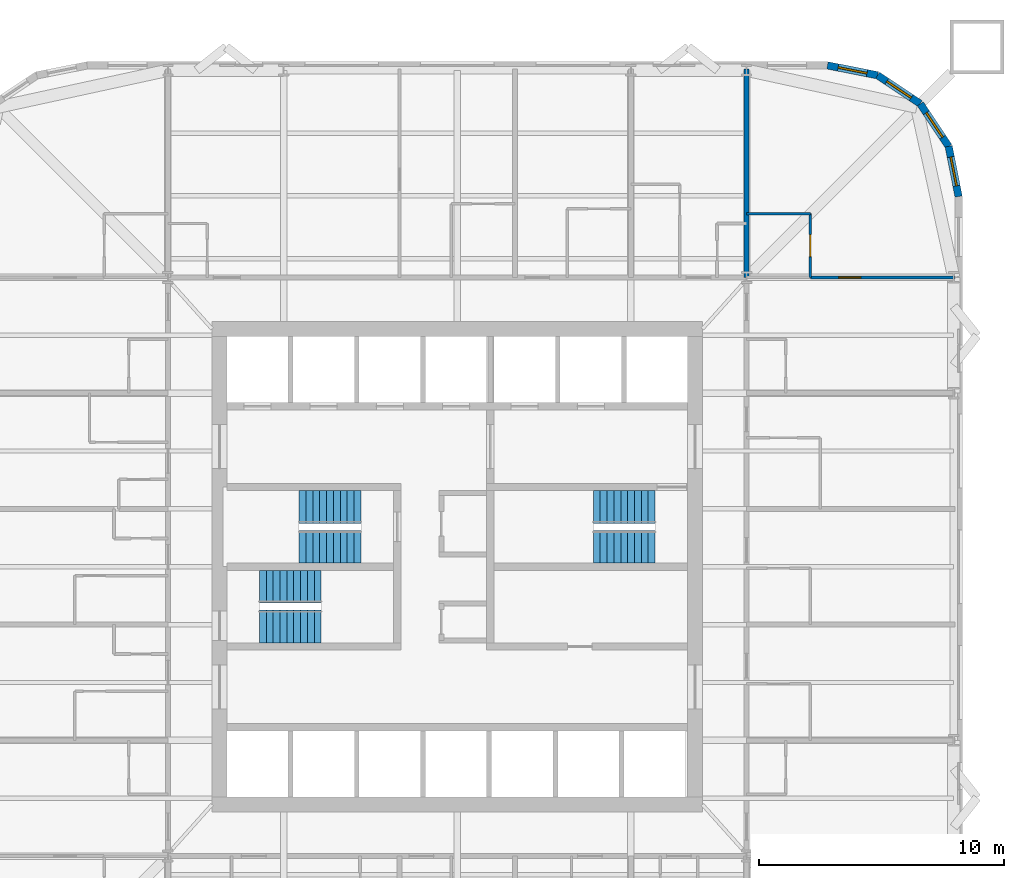
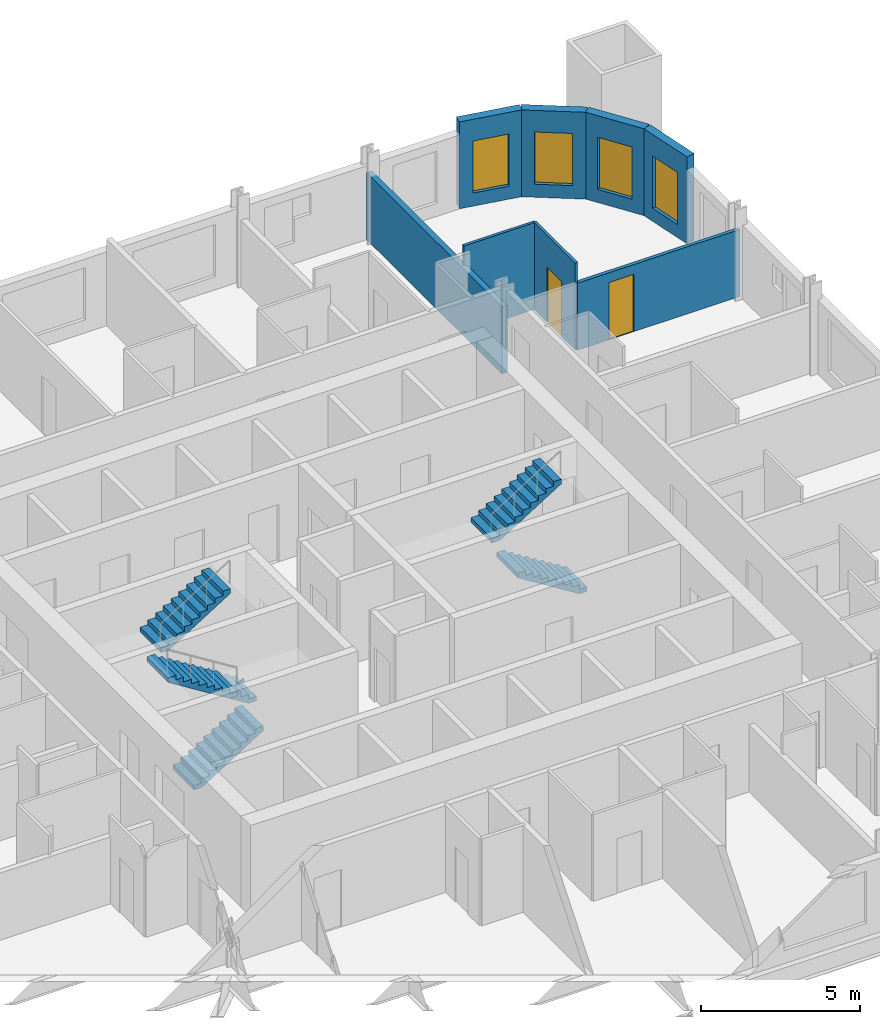
# One storey, part 9 of 10: 8 walls, 6 stair flights, 4 windows, 2 doors, 6 openings, 3 elements without a shape of their own.
"""IFC4 building model written with IfcOpenShell, lengths in metres."""

from ifc_helpers import new_model, si_unit, direction, frame, frame_2d, origin, place, context, subcontext, project, spatial, polyline, rectangle, outline, extrude, material, layer, layer_set, type_object, element, fill, aggregate, save


model = new_model("IFC4")

# Units and contexts
model_context = context("Model", 3, precision=1e-05, world=origin(), true_north=direction((0.0, 1.0)))
body_context = subcontext(model_context, "Body", "Model", "MODEL_VIEW")
ifc_project = project(units=[si_unit("LENGTHUNIT", "METRE"), si_unit("AREAUNIT", "SQUARE_METRE"), si_unit("VOLUMEUNIT", "CUBIC_METRE"), si_unit("PLANEANGLEUNIT", "RADIAN"), si_unit("MASSUNIT", "GRAM", prefix="KILO")], contexts=[model_context])

# Site, building, storey
site_placement = place(None, origin())
site = spatial("IfcSite", under=ifc_project, at=site_placement, CompositionType="ELEMENT")
building_placement = place(site_placement, origin())
building = spatial("IfcBuilding", under=site, at=building_placement, Name="Turquesa Mirador Hotel Tower", CompositionType="ELEMENT")
storey_placement = place(building_placement, frame((0.0, 0.0, 138.89990234375)))
storey = spatial("IfcBuildingStorey", under=building, at=storey_placement, Name="L37", CompositionType="ELEMENT", Elevation=138.89990234375)

# Wall
ifc_material_1 = material(Name="Gypsum board on steel studs", Category="steel")
ifc_layer_1 = layer(ifc_material_1, 0.10009765625)
ifc_layer_set_1 = layer_set([ifc_layer_1], Name="BATHROOM WALL 100")
wall_type_1 = type_object("IfcWallType", Name="BATHROOM WALL 100", PredefinedType="PARTITIONING", material=ifc_layer_set_1)
wall_1_placement = place(storey_placement, frame((66.800048828125, 59.39990234375, 0.0), z_axis=(0.0, 0.0, 1.0), x_axis=(1.0, 0.0, 0.0)))
element("IfcWall", 1, at=wall_1_placement, inside=storey, type_object=wall_type_1, Name="Partition L37 034", PredefinedType="PARTITIONING", context=body_context, shape_type="SweptSolid", body=[
    extrude(rectangle(XDim=2.599853515625, YDim=0.10009765625, at=frame_2d((1.2998046875, 0.0))), origin(), (0.0, 0.0, 1.0), 3.330078125),
])

# Wall, opening, door
wall_2_placement = place(storey_placement, frame((69.39990234375, 56.800048828125, 0.0), z_axis=(0.0, 0.0, 1.0), x_axis=(0.0, 1.0, 0.0)))
wall_2 = element("IfcWall", 2, at=wall_2_placement, inside=storey, type_object=wall_type_1, Name="Partition L37 077", PredefinedType="PARTITIONING", context=body_context, shape_type="SweptSolid", body=[
    extrude(rectangle(XDim=2.599853515625, YDim=0.10009765625, at=frame_2d((1.2998046875, 0.0))), origin(), (0.0, 0.0, 1.0), 3.330078125),
])
opening_1_placement = place(wall_2_placement, frame((0.85009765625, 0.0, 0.0)))
opening_1 = element("IfcOpeningElement", 3, at=opening_1_placement, cuts=wall_2, Name="Opening D02", PredefinedType="OPENING", context=body_context, shape_type="SweptSolid", body=[
    extrude(rectangle(XDim=0.89990234375, YDim=2.10009765625, at=frame_2d((0.449951171875, 1.050048828125))), frame((0.0, 0.06005859375, 0.0), z_axis=(0.0, -1.0, 0.0), x_axis=(1.0, 0.0, 0.0)), (0.0, 0.0, 1.0), 0.1201171875),
])
ifc_material_2 = material(Name="Timber veneered door", Category="wood")
door_type_1 = type_object("IfcDoorType", Name="DOOR 900X2100 EN-SUITE", OperationType="SINGLE_SWING_RIGHT", PredefinedType="DOOR", material=ifc_material_2)
door_1_placement = place(opening_1_placement, origin())
door_1 = element("IfcDoor", 4, at=door_1_placement, inside=storey, type_object=door_type_1, Name="Door 3714B", OperationType="SINGLE_SWING_RIGHT", OverallHeight=2.10009765625, OverallWidth=0.89990234375, PredefinedType="DOOR", context=body_context, shape_type="SweptSolid", body=[
    extrude(rectangle(XDim=0.89990234375, YDim=2.10009765625, at=frame_2d((0.449951171875, 1.050048828125))), frame((0.0, 0.02490234375, 0.0), z_axis=(0.0, -1.0, 0.0), x_axis=(1.0, 0.0, 0.0)), (0.0, 0.0, 1.0), 0.050048828125),
])
fill(opening_1, door_1)

# Wall, opening, window
ifc_material_3 = material(Name="Limestone cladding on concrete block", Category="masonry")
ifc_layer_2 = layer(ifc_material_3, 0.300048828125)
ifc_layer_set_2 = layer_set([ifc_layer_2], Name="FACADE WALL 300 STONE SCREEN")
wall_type_2 = type_object("IfcWallType", Name="FACADE WALL 300 STONE SCREEN", PredefinedType="SOLIDWALL", material=ifc_layer_set_2)
wall_3_placement = place(storey_placement, frame((75.449951171875, 60.10009765625, 0.0), z_axis=(0.0, 0.0, 1.0), x_axis=(-0.195081421501, 0.980787050784, 0.0)))
wall_3 = element("IfcWall", 5, at=wall_3_placement, inside=storey, type_object=wall_type_2, Name="Facade wall L37 05", PredefinedType="SOLIDWALL", context=body_context, shape_type="SweptSolid", body=[
    extrude(rectangle(XDim=2.08740234375, YDim=0.300048828125, at=frame_2d((1.043701171875, 0.0))), origin(), (0.0, 0.0, 1.0), 3.330078125),
])
opening_2_placement = place(wall_3_placement, frame((0.443603515625, 0.0, 0.5)))
opening_2 = element("IfcOpeningElement", 6, at=opening_2_placement, cuts=wall_3, Name="Opening WN4", PredefinedType="OPENING", context=body_context, shape_type="SweptSolid", body=[
    extrude(rectangle(XDim=1.199951171875, YDim=2.0, at=frame_2d((0.60009765625, 1.0))), frame((0.0, 0.159912109375, 0.0), z_axis=(0.0, -1.0, 0.0), x_axis=(1.0, 0.0, 0.0)), (0.0, 0.0, 1.0), 0.320068359375),
])
ifc_material_4 = material(Name="Ceramic-fritted laminated glass", Category="glass")
window_type = type_object("IfcWindowType", Name="FRITTED CORNER WINDOW 1200X2000", PartitioningType="DOUBLE_PANEL_HORIZONTAL", PredefinedType="WINDOW", material=ifc_material_4)
window_1_placement = place(opening_2_placement, origin())
window_1 = element("IfcWindow", 7, at=window_1_placement, inside=storey, type_object=window_type, Name="Window L37", OverallHeight=2.0, OverallWidth=1.199951171875, PartitioningType="SINGLE_PANEL", PredefinedType="WINDOW", context=body_context, shape_type="SweptSolid", body=[
    extrude(rectangle(XDim=1.199951171875, YDim=2.0, at=frame_2d((0.60009765625, 1.0))), frame((0.0, 0.030029296875, 0.0), z_axis=(0.0, -1.0, 0.0), x_axis=(1.0, 0.0, 0.0)), (0.0, 0.0, 1.0), 0.06005859375),
])
fill(opening_2, window_1)

wall_4_placement = place(storey_placement, frame((75.042724609375, 62.1474609375, 0.0), z_axis=(0.0, 0.0, 1.0), x_axis=(-0.555563607591, 0.831474039234, 0.0)))
wall_4 = element("IfcWall", 8, at=wall_4_placement, inside=storey, type_object=wall_type_2, Name="Facade wall L37 06", PredefinedType="SOLIDWALL", context=body_context, shape_type="SweptSolid", body=[
    extrude(rectangle(XDim=2.08740234375, YDim=0.300048828125, at=frame_2d((1.043701171875, 0.0))), origin(), (0.0, 0.0, 1.0), 3.330078125),
])
opening_3_placement = place(wall_4_placement, frame((0.443603515625, 0.0, 0.5)))
opening_3 = element("IfcOpeningElement", 9, at=opening_3_placement, cuts=wall_4, Name="Opening WN4", PredefinedType="OPENING", context=body_context, shape_type="SweptSolid", body=[
    extrude(rectangle(XDim=1.199951171875, YDim=2.0, at=frame_2d((0.60009765625, 1.0))), frame((0.0, 0.159912109375, 0.0), z_axis=(0.0, -1.0, 0.0), x_axis=(1.0, 0.0, 0.0)), (0.0, 0.0, 1.0), 0.320068359375),
])
window_2_placement = place(opening_3_placement, origin())
window_2 = element("IfcWindow", 10, at=window_2_placement, inside=storey, type_object=window_type, Name="Window L37", OverallHeight=2.0, OverallWidth=1.199951171875, PartitioningType="SINGLE_PANEL", PredefinedType="WINDOW", context=body_context, shape_type="SweptSolid", body=[
    extrude(rectangle(XDim=1.199951171875, YDim=2.0, at=frame_2d((0.60009765625, 1.0))), frame((0.0, 0.030029296875, 0.0), z_axis=(0.0, -1.0, 0.0), x_axis=(1.0, 0.0, 0.0)), (0.0, 0.0, 1.0), 0.06005859375),
])
fill(opening_3, window_2)

wall_5_placement = place(storey_placement, frame((73.883056640625, 63.883056640625, 0.0), z_axis=(0.0, 0.0, 1.0), x_axis=(-0.831474039234, 0.555563607591, 0.0)))
wall_5 = element("IfcWall", 11, at=wall_5_placement, inside=storey, type_object=wall_type_2, Name="Facade wall L37 07", PredefinedType="SOLIDWALL", context=body_context, shape_type="SweptSolid", body=[
    extrude(rectangle(XDim=2.08740234375, YDim=0.300048828125, at=frame_2d((1.043701171875, 0.0))), origin(), (0.0, 0.0, 1.0), 3.330078125),
])
opening_4_placement = place(wall_5_placement, frame((0.443603515625, 0.0, 0.5)))
opening_4 = element("IfcOpeningElement", 12, at=opening_4_placement, cuts=wall_5, Name="Opening WN4", PredefinedType="OPENING", context=body_context, shape_type="SweptSolid", body=[
    extrude(rectangle(XDim=1.199951171875, YDim=2.0, at=frame_2d((0.60009765625, 1.0))), frame((0.0, 0.159912109375, 0.0), z_axis=(0.0, -1.0, 0.0), x_axis=(1.0, 0.0, 0.0)), (0.0, 0.0, 1.0), 0.320068359375),
])
window_3_placement = place(opening_4_placement, origin())
window_3 = element("IfcWindow", 13, at=window_3_placement, inside=storey, type_object=window_type, Name="Window L37", OverallHeight=2.0, OverallWidth=1.199951171875, PartitioningType="SINGLE_PANEL", PredefinedType="WINDOW", context=body_context, shape_type="SweptSolid", body=[
    extrude(rectangle(XDim=1.199951171875, YDim=2.0, at=frame_2d((0.60009765625, 1.0))), frame((0.0, 0.030029296875, 0.0), z_axis=(0.0, -1.0, 0.0), x_axis=(1.0, 0.0, 0.0)), (0.0, 0.0, 1.0), 0.06005859375),
])
fill(opening_4, window_3)

wall_6_placement = place(storey_placement, frame((72.1474609375, 65.042724609375, 0.0), z_axis=(0.0, 0.0, 1.0), x_axis=(-0.980787050784, 0.195081421501, 0.0)))
wall_6 = element("IfcWall", 14, at=wall_6_placement, inside=storey, type_object=wall_type_2, Name="Facade wall L37 08", PredefinedType="SOLIDWALL", context=body_context, shape_type="SweptSolid", body=[
    extrude(rectangle(XDim=2.08740234375, YDim=0.300048828125, at=frame_2d((1.043701171875, 0.0))), origin(), (0.0, 0.0, 1.0), 3.330078125),
])
opening_5_placement = place(wall_6_placement, frame((0.443603515625, 0.0, 0.5)))
opening_5 = element("IfcOpeningElement", 15, at=opening_5_placement, cuts=wall_6, Name="Opening WN4", PredefinedType="OPENING", context=body_context, shape_type="SweptSolid", body=[
    extrude(rectangle(XDim=1.199951171875, YDim=2.0, at=frame_2d((0.60009765625, 1.0))), frame((0.0, 0.159912109375, 0.0), z_axis=(0.0, -1.0, 0.0), x_axis=(1.0, 0.0, 0.0)), (0.0, 0.0, 1.0), 0.320068359375),
])
window_4_placement = place(opening_5_placement, origin())
window_4 = element("IfcWindow", 16, at=window_4_placement, inside=storey, type_object=window_type, Name="Window L37", OverallHeight=2.0, OverallWidth=1.199951171875, PartitioningType="SINGLE_PANEL", PredefinedType="WINDOW", context=body_context, shape_type="SweptSolid", body=[
    extrude(rectangle(XDim=1.199951171875, YDim=2.0, at=frame_2d((0.60009765625, 1.0))), frame((0.0, 0.030029296875, 0.0), z_axis=(0.0, -1.0, 0.0), x_axis=(1.0, 0.0, 0.0)), (0.0, 0.0, 1.0), 0.06005859375),
])
fill(opening_5, window_4)

# Wall
ifc_material_5 = material(Name="Fire-rated gypsum board on steel studs", Category="steel")
ifc_layer_3 = layer(ifc_material_5, 0.199951171875)
ifc_layer_set_3 = layer_set([ifc_layer_3], Name="PARTY WALL 200")
wall_type_3 = type_object("IfcWallType", Name="PARTY WALL 200", PredefinedType="PARTITIONING", material=ifc_layer_set_3)
wall_7_placement = place(storey_placement, frame((66.800048828125, 56.800048828125, 0.0), z_axis=(0.0, 0.0, 1.0), x_axis=(0.0, 1.0, 0.0)))
element("IfcWall", 17, at=wall_7_placement, inside=storey, type_object=wall_type_3, Name="Partition L37 071", PredefinedType="PARTITIONING", context=body_context, shape_type="SweptSolid", body=[
    extrude(rectangle(XDim=8.5, YDim=0.199951171875, at=frame_2d((4.25, 0.0))), origin(), (0.0, 0.0, 1.0), 2.5732421875),
])

# Wall, opening, door
ifc_material_6 = material(Name="Acoustic gypsum board on steel studs", Category="steel")
ifc_layer_4 = layer(ifc_material_6, 0.125)
ifc_layer_set_4 = layer_set([ifc_layer_4], Name="SUITE PARTITION 125")
wall_type_4 = type_object("IfcWallType", Name="SUITE PARTITION 125", PredefinedType="PARTITIONING", material=ifc_layer_set_4)
wall_8_placement = place(storey_placement, frame((69.39990234375, 56.800048828125, 0.0), z_axis=(0.0, 0.0, 1.0), x_axis=(1.0, 0.0, 0.0)))
wall_8 = element("IfcWall", 18, at=wall_8_placement, inside=storey, type_object=wall_type_4, Name="Partition L37 030", PredefinedType="PARTITIONING", context=body_context, shape_type="SweptSolid", body=[
    extrude(rectangle(XDim=5.900146484375, YDim=0.125, at=frame_2d((2.9501953125, 0.0))), origin(), (0.0, 0.0, 1.0), 2.5732421875),
])
opening_6_placement = place(wall_8_placement, frame((1.14990234375, 0.0, 0.0)))
opening_6 = element("IfcOpeningElement", 19, at=opening_6_placement, cuts=wall_8, Name="Opening D17", PredefinedType="OPENING", context=body_context, shape_type="SweptSolid", body=[
    extrude(rectangle(XDim=0.89990234375, YDim=2.199951171875, at=frame_2d((0.449951171875, 1.10009765625))), frame((0.0, 0.072509765625, 0.0), z_axis=(0.0, -1.0, 0.0), x_axis=(1.0, 0.0, 0.0)), (0.0, 0.0, 1.0), 0.14501953125),
])
ifc_material_7 = material(Name="Timber veneered door", Category="wood")
door_type_2 = type_object("IfcDoorType", Name="DOOR 900X2200 SUITE INTERNAL", OperationType="SINGLE_SWING_LEFT", PredefinedType="DOOR", material=ifc_material_7)
door_2_placement = place(opening_6_placement, origin())
door_2 = element("IfcDoor", 20, at=door_2_placement, inside=storey, type_object=door_type_2, Name="Door 3714R", OperationType="SINGLE_SWING_LEFT", OverallHeight=2.199951171875, OverallWidth=0.89990234375, PredefinedType="DOOR", context=body_context, shape_type="SweptSolid", body=[
    extrude(rectangle(XDim=0.89990234375, YDim=2.199951171875, at=frame_2d((0.449951171875, 1.10009765625))), frame((0.0, 0.02490234375, 0.0), z_axis=(0.0, -1.0, 0.0), x_axis=(1.0, 0.0, 0.0)), (0.0, 0.0, 1.0), 0.050048828125),
])
fill(opening_6, door_2)

# Stair, stair flights
ifc_material_8 = material(Name="Concrete C35/45", Category="concrete")
stair_type = type_object("IfcStairType", Name="ESCAPE STAIR CORE", PredefinedType="HALF_TURN_STAIR", material=ifc_material_8)
stair_1_placement = place(storey_placement, origin())
stair_1 = element("IfcStair", 21, at=stair_1_placement, inside=storey, type_object=stair_type, Name="Stair ST1 L37 to L38", PredefinedType="HALF_TURN_STAIR")
ifc_material_9 = material(Name="Concrete C35/45 precast flight", Category="concrete")
stair_flight_type = type_object("IfcStairFlightType", Name="STAIR FLIGHT 1330", PredefinedType="STRAIGHT", material=ifc_material_9)
stair_flight_1_placement = place(storey_placement, frame((51.070068359375, 45.81494140625, 0.0), z_axis=(0.0, 0.0, 1.0), x_axis=(-1.0, 0.0, 0.0)))
stair_flight_1 = element("IfcStairFlight", 22, at=stair_flight_1_placement, type_object=stair_flight_type, Name="ST1 flight 1", NumberOfRisers=10, NumberOfTreads=9, PredefinedType="STRAIGHT", RiserHeight=0.175, TreadLength=0.28, context=body_context, shape_type="SweptSolid", body=[
    extrude(outline(polyline([(0.0, 0.0), (0.0, 0.175048828125), (0.280029296875, 0.175048828125), (0.280029296875, 0.35009765625), (0.56005859375, 0.35009765625), (0.56005859375, 0.52490234375), (0.840087890625, 0.52490234375), (0.840087890625, 0.699951171875), (1.1201171875, 0.699951171875), (1.1201171875, 0.875), (1.39990234375, 0.875), (1.39990234375, 1.050048828125), (1.679931640625, 1.050048828125), (1.679931640625, 1.22509765625), (1.9599609375, 1.22509765625), (1.9599609375, 1.39990234375), (2.239990234375, 1.39990234375), (2.239990234375, 1.574951171875), (2.52001953125, 1.574951171875), (2.52001953125, 1.75), (2.52001953125, 1.398193359375), (0.28271484375, 0.0), (0.0, 0.0)])), frame((0.0, 0.6650390625, 0.0), z_axis=(0.0, -1.0, 0.0), x_axis=(1.0, 0.0, 0.0)), (0.0, 0.0, 1.0), 1.330078125),
])
stair_flight_2_placement = place(storey_placement, frame((48.550048828125, 47.43505859375, 1.75), z_axis=(0.0, 0.0, 1.0), x_axis=(1.0, 0.0, 0.0)))
stair_flight_2 = element("IfcStairFlight", 23, at=stair_flight_2_placement, type_object=stair_flight_type, Name="ST1 flight 2", NumberOfRisers=10, NumberOfTreads=9, PredefinedType="STRAIGHT", RiserHeight=0.175, TreadLength=0.28, context=body_context, shape_type="SweptSolid", body=[
    extrude(outline(polyline([(0.0, 0.0), (0.0, 0.175048828125), (0.280029296875, 0.175048828125), (0.280029296875, 0.35009765625), (0.56005859375, 0.35009765625), (0.56005859375, 0.52490234375), (0.840087890625, 0.52490234375), (0.840087890625, 0.699951171875), (1.1201171875, 0.699951171875), (1.1201171875, 0.875), (1.39990234375, 0.875), (1.39990234375, 1.050048828125), (1.679931640625, 1.050048828125), (1.679931640625, 1.22509765625), (1.9599609375, 1.22509765625), (1.9599609375, 1.39990234375), (2.239990234375, 1.39990234375), (2.239990234375, 1.574951171875), (2.52001953125, 1.574951171875), (2.52001953125, 1.75), (2.52001953125, 1.398193359375), (0.28271484375, 0.0), (0.0, 0.0)])), frame((0.0, 0.6650390625, 0.0), z_axis=(0.0, -1.0, 0.0), x_axis=(1.0, 0.0, 0.0)), (0.0, 0.0, 1.0), 1.330078125),
])
aggregate(stair_1, [stair_flight_1, stair_flight_2])

stair_2_placement = place(storey_placement, origin())
stair_2 = element("IfcStair", 24, at=stair_2_placement, inside=storey, type_object=stair_type, Name="Stair ST2 L37 to L38", PredefinedType="HALF_TURN_STAIR")
stair_flight_3_placement = place(storey_placement, frame((46.929931640625, 42.56494140625, 0.0), z_axis=(0.0, 0.0, 1.0), x_axis=(1.0, 0.0, 0.0)))
stair_flight_3 = element("IfcStairFlight", 25, at=stair_flight_3_placement, type_object=stair_flight_type, Name="ST2 flight 1", NumberOfRisers=10, NumberOfTreads=9, PredefinedType="STRAIGHT", RiserHeight=0.175, TreadLength=0.28, context=body_context, shape_type="SweptSolid", body=[
    extrude(outline(polyline([(0.0, 0.0), (0.0, 0.175048828125), (0.280029296875, 0.175048828125), (0.280029296875, 0.35009765625), (0.56005859375, 0.35009765625), (0.56005859375, 0.52490234375), (0.840087890625, 0.52490234375), (0.840087890625, 0.699951171875), (1.1201171875, 0.699951171875), (1.1201171875, 0.875), (1.39990234375, 0.875), (1.39990234375, 1.050048828125), (1.679931640625, 1.050048828125), (1.679931640625, 1.22509765625), (1.9599609375, 1.22509765625), (1.9599609375, 1.39990234375), (2.239990234375, 1.39990234375), (2.239990234375, 1.574951171875), (2.52001953125, 1.574951171875), (2.52001953125, 1.75), (2.52001953125, 1.398193359375), (0.28271484375, 0.0), (0.0, 0.0)])), frame((0.0, 0.6650390625, 0.0), z_axis=(0.0, -1.0, 0.0), x_axis=(1.0, 0.0, 0.0)), (0.0, 0.0, 1.0), 1.330078125),
])
stair_flight_4_placement = place(storey_placement, frame((49.449951171875, 44.18505859375, 1.75), z_axis=(0.0, 0.0, 1.0), x_axis=(-1.0, 0.0, 0.0)))
stair_flight_4 = element("IfcStairFlight", 26, at=stair_flight_4_placement, type_object=stair_flight_type, Name="ST2 flight 2", NumberOfRisers=10, NumberOfTreads=9, PredefinedType="STRAIGHT", RiserHeight=0.175, TreadLength=0.28, context=body_context, shape_type="SweptSolid", body=[
    extrude(outline(polyline([(0.0, 0.0), (0.0, 0.175048828125), (0.280029296875, 0.175048828125), (0.280029296875, 0.35009765625), (0.56005859375, 0.35009765625), (0.56005859375, 0.52490234375), (0.840087890625, 0.52490234375), (0.840087890625, 0.699951171875), (1.1201171875, 0.699951171875), (1.1201171875, 0.875), (1.39990234375, 0.875), (1.39990234375, 1.050048828125), (1.679931640625, 1.050048828125), (1.679931640625, 1.22509765625), (1.9599609375, 1.22509765625), (1.9599609375, 1.39990234375), (2.239990234375, 1.39990234375), (2.239990234375, 1.574951171875), (2.52001953125, 1.574951171875), (2.52001953125, 1.75), (2.52001953125, 1.398193359375), (0.28271484375, 0.0), (0.0, 0.0)])), frame((0.0, 0.6650390625, 0.0), z_axis=(0.0, -1.0, 0.0), x_axis=(1.0, 0.0, 0.0)), (0.0, 0.0, 1.0), 1.330078125),
])
aggregate(stair_2, [stair_flight_3, stair_flight_4])

stair_3_placement = place(storey_placement, origin())
stair_3 = element("IfcStair", 27, at=stair_3_placement, inside=storey, type_object=stair_type, Name="Stair ST3 L37 to L38", PredefinedType="HALF_TURN_STAIR")
stair_flight_5_placement = place(storey_placement, frame((63.070068359375, 45.81494140625, 0.0), z_axis=(0.0, 0.0, 1.0), x_axis=(-1.0, 0.0, 0.0)))
stair_flight_5 = element("IfcStairFlight", 28, at=stair_flight_5_placement, type_object=stair_flight_type, Name="ST3 flight 1", NumberOfRisers=10, NumberOfTreads=9, PredefinedType="STRAIGHT", RiserHeight=0.175, TreadLength=0.28, context=body_context, shape_type="SweptSolid", body=[
    extrude(outline(polyline([(0.0, 0.0), (0.0, 0.175048828125), (0.280029296875, 0.175048828125), (0.280029296875, 0.35009765625), (0.56005859375, 0.35009765625), (0.56005859375, 0.52490234375), (0.840087890625, 0.52490234375), (0.840087890625, 0.699951171875), (1.1201171875, 0.699951171875), (1.1201171875, 0.875), (1.39990234375, 0.875), (1.39990234375, 1.050048828125), (1.679931640625, 1.050048828125), (1.679931640625, 1.22509765625), (1.9599609375, 1.22509765625), (1.9599609375, 1.39990234375), (2.239990234375, 1.39990234375), (2.239990234375, 1.574951171875), (2.52001953125, 1.574951171875), (2.52001953125, 1.75), (2.52001953125, 1.398193359375), (0.28271484375, 0.0), (0.0, 0.0)])), frame((0.0, 0.6650390625, 0.0), z_axis=(0.0, -1.0, 0.0), x_axis=(1.0, 0.0, 0.0)), (0.0, 0.0, 1.0), 1.330078125),
])
stair_flight_6_placement = place(storey_placement, frame((60.550048828125, 47.43505859375, 1.75), z_axis=(0.0, 0.0, 1.0), x_axis=(1.0, 0.0, 0.0)))
stair_flight_6 = element("IfcStairFlight", 29, at=stair_flight_6_placement, type_object=stair_flight_type, Name="ST3 flight 2", NumberOfRisers=10, NumberOfTreads=9, PredefinedType="STRAIGHT", RiserHeight=0.175, TreadLength=0.28, context=body_context, shape_type="SweptSolid", body=[
    extrude(outline(polyline([(0.0, 0.0), (0.0, 0.175048828125), (0.280029296875, 0.175048828125), (0.280029296875, 0.35009765625), (0.56005859375, 0.35009765625), (0.56005859375, 0.52490234375), (0.840087890625, 0.52490234375), (0.840087890625, 0.699951171875), (1.1201171875, 0.699951171875), (1.1201171875, 0.875), (1.39990234375, 0.875), (1.39990234375, 1.050048828125), (1.679931640625, 1.050048828125), (1.679931640625, 1.22509765625), (1.9599609375, 1.22509765625), (1.9599609375, 1.39990234375), (2.239990234375, 1.39990234375), (2.239990234375, 1.574951171875), (2.52001953125, 1.574951171875), (2.52001953125, 1.75), (2.52001953125, 1.398193359375), (0.28271484375, 0.0), (0.0, 0.0)])), frame((0.0, 0.6650390625, 0.0), z_axis=(0.0, -1.0, 0.0), x_axis=(1.0, 0.0, 0.0)), (0.0, 0.0, 1.0), 1.330078125),
])
aggregate(stair_3, [stair_flight_5, stair_flight_6])

save(model, "model.ifc")
